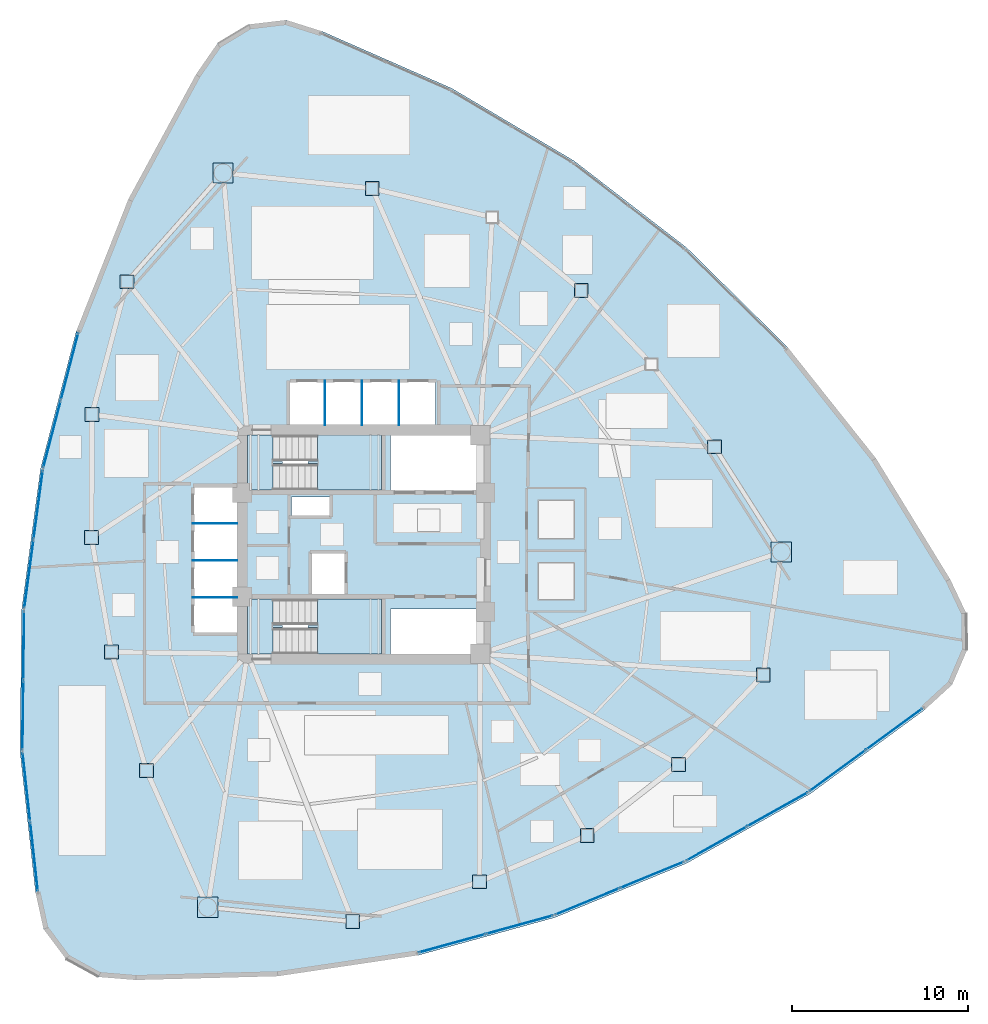
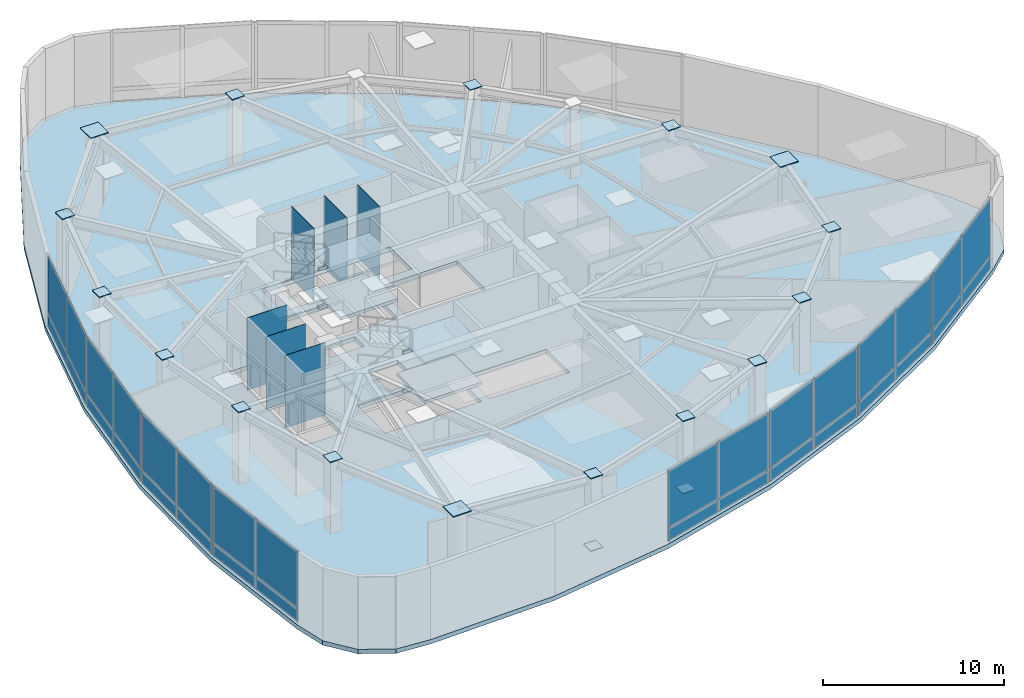
# One storey, part 8 of 14: 56 plates, 7 slabs, 10 elements without a shape of their own.
"""IFC4 building model written with IfcOpenShell, lengths in metres."""

from ifc_helpers import new_model, si_unit, direction, frame, origin, origin_2d, place, context, subcontext, project, spatial, polyline, rectangle, outline, extrude, source, transform, mapped, material, layer, layer_set, type_object, type_shapes, element, aggregate, save


model = new_model("IFC4")

# Units and contexts
model_context = context("Model", 3, precision=1e-05, world=origin(), true_north=direction((0.0, 1.0)))
body_context = subcontext(model_context, "Body", "Model", "MODEL_VIEW")
ifc_project = project(units=[si_unit("LENGTHUNIT", "METRE"), si_unit("AREAUNIT", "SQUARE_METRE"), si_unit("VOLUMEUNIT", "CUBIC_METRE"), si_unit("PLANEANGLEUNIT", "RADIAN"), si_unit("MASSUNIT", "GRAM", prefix="KILO")], contexts=[model_context])

# Site, building, storey
site_placement = place(None, origin())
site = spatial("IfcSite", under=ifc_project, at=site_placement, CompositionType="ELEMENT")
building_placement = place(site_placement, origin())
building = spatial("IfcBuilding", under=site, at=building_placement, Name="Tavelor Broadcast Tower", CompositionType="ELEMENT")
storey_placement = place(building_placement, frame((0.0, 0.0, 110.39990234375)))
storey = spatial("IfcBuildingStorey", under=building, at=storey_placement, Name="L25", CompositionType="ELEMENT", Elevation=110.39990234375)

# Stair, slabs
ifc_material_1 = material(Name="Concrete C40/50", Category="concrete")
stair_type = type_object("IfcStairType", Name="Reinforced Concrete Protected Dogleg Stair 1450 mm", PredefinedType="HALF_TURN_STAIR", material=ifc_material_1)
stair_1_placement = place(storey_placement, origin())
stair_1 = element("IfcStair", 1, at=stair_1_placement, inside=storey, type_object=stair_type, Name="L25 Protected Core Exit Stair ST1", PredefinedType="HALF_TURN_STAIR")
ifc_layer_1 = layer(ifc_material_1, 0.199951171875)
ifc_layer_set_1 = layer_set([ifc_layer_1], Name="Concrete C40/50")
slab_type_1 = type_object("IfcSlabType", Name="Reinforced Concrete Stair Half-Landing Slab 200 mm", PredefinedType="LANDING", material=ifc_layer_set_1)
slab_1_placement = place(storey_placement, frame((0.0, 0.0, 1.10009765625)))
slab_1 = element("IfcSlab", 2, at=slab_1_placement, type_object=slab_type_1, Name="ST1 landing 1", PredefinedType="LANDING", context=body_context, shape_type="SweptSolid", body=[
    extrude(outline(polyline([(47.364990234375, 49.590087890625), (47.364990234375, 48.094970703125), (51.0048828125, 48.094970703125), (51.0048828125, 51.205078125), (47.364990234375, 51.205078125), (47.364990234375, 49.7099609375), (46.824951171875, 49.7099609375), (46.824951171875, 49.590087890625), (47.364990234375, 49.590087890625)])), origin(), (0.0, 0.0, 1.0), 0.199951171875),
])
slab_2_placement = place(storey_placement, frame((0.0, 0.0, 2.400146484375)))
slab_2 = element("IfcSlab", 3, at=slab_2_placement, type_object=slab_type_1, Name="ST1 landing 2", PredefinedType="LANDING", context=body_context, shape_type="SweptSolid", body=[
    extrude(outline(polyline([(43.39501953125, 48.094970703125), (44.85498046875, 48.094970703125), (44.85498046875, 49.590087890625), (45.39501953125, 49.590087890625), (45.39501953125, 49.7099609375), (44.85498046875, 49.7099609375), (44.85498046875, 51.205078125), (43.39501953125, 51.205078125), (43.39501953125, 48.094970703125)])), origin(), (0.0, 0.0, 1.0), 0.199951171875),
])
slab_3_placement = place(storey_placement, frame((0.0, 0.0, 3.7001953125)))
slab_3 = element("IfcSlab", 4, at=slab_3_placement, type_object=slab_type_1, Name="ST1 landing 3", PredefinedType="LANDING", context=body_context, shape_type="SweptSolid", body=[
    extrude(outline(polyline([(47.364990234375, 49.590087890625), (47.364990234375, 48.094970703125), (51.0048828125, 48.094970703125), (51.0048828125, 51.205078125), (47.364990234375, 51.205078125), (47.364990234375, 49.7099609375), (46.824951171875, 49.7099609375), (46.824951171875, 49.590087890625), (47.364990234375, 49.590087890625)])), origin(), (0.0, 0.0, 1.0), 0.199951171875),
])
aggregate(stair_1, [slab_1, slab_2, slab_3])

stair_2_placement = place(storey_placement, origin())
stair_2 = element("IfcStair", 5, at=stair_2_placement, inside=storey, type_object=stair_type, Name="L25 Protected Core Exit Stair ST2", PredefinedType="HALF_TURN_STAIR")
slab_4_placement = place(storey_placement, frame((0.0, 0.0, 1.10009765625)))
slab_4 = element("IfcSlab", 6, at=slab_4_placement, type_object=slab_type_1, Name="ST2 landing 1", PredefinedType="LANDING", context=body_context, shape_type="SweptSolid", body=[
    extrude(outline(polyline([(47.364990234375, 40.2900390625), (47.364990234375, 38.794921875), (51.0048828125, 38.794921875), (51.0048828125, 41.905029296875), (47.364990234375, 41.905029296875), (47.364990234375, 40.409912109375), (46.824951171875, 40.409912109375), (46.824951171875, 40.2900390625), (47.364990234375, 40.2900390625)])), origin(), (0.0, 0.0, 1.0), 0.199951171875),
])
slab_5_placement = place(storey_placement, frame((0.0, 0.0, 2.400146484375)))
slab_5 = element("IfcSlab", 7, at=slab_5_placement, type_object=slab_type_1, Name="ST2 landing 2", PredefinedType="LANDING", context=body_context, shape_type="SweptSolid", body=[
    extrude(outline(polyline([(43.39501953125, 38.794921875), (44.85498046875, 38.794921875), (44.85498046875, 40.2900390625), (45.39501953125, 40.2900390625), (45.39501953125, 40.409912109375), (44.85498046875, 40.409912109375), (44.85498046875, 41.905029296875), (43.39501953125, 41.905029296875), (43.39501953125, 38.794921875)])), origin(), (0.0, 0.0, 1.0), 0.199951171875),
])
slab_6_placement = place(storey_placement, frame((0.0, 0.0, 3.7001953125)))
slab_6 = element("IfcSlab", 8, at=slab_6_placement, type_object=slab_type_1, Name="ST2 landing 3", PredefinedType="LANDING", context=body_context, shape_type="SweptSolid", body=[
    extrude(outline(polyline([(47.364990234375, 40.2900390625), (47.364990234375, 38.794921875), (51.0048828125, 38.794921875), (51.0048828125, 41.905029296875), (47.364990234375, 41.905029296875), (47.364990234375, 40.409912109375), (46.824951171875, 40.409912109375), (46.824951171875, 40.2900390625), (47.364990234375, 40.2900390625)])), origin(), (0.0, 0.0, 1.0), 0.199951171875),
])
aggregate(stair_2, [slab_4, slab_5, slab_6])

# Slab
ifc_layer_2 = layer(ifc_material_1, 0.320068359375)
ifc_layer_set_2 = layer_set([ifc_layer_2], Name="Concrete C40/50")
slab_type_2 = type_object("IfcSlabType", Name="Sky Lobby Floor Slab 320 mm", PredefinedType="FLOOR", material=ifc_layer_set_2)
slab_7_placement = place(storey_placement, frame((0.0, 0.0, -0.2998046875)))
element("IfcSlab", 9, at=slab_7_placement, inside=storey, type_object=slab_type_2, Name="L25 Structural Floor Slab", PredefinedType="FLOOR", context=body_context, shape_type="SweptSolid", body=[
    extrude(outline(polyline([(47.616943359375, 74.11669921875), (45.599365234375, 74.7548828125), (43.497802734375, 74.506103515625), (41.684814453125, 73.414794921875), (40.481689453125, 71.673828125), (36.64111328125, 64.593505859375), (33.685546875, 57.100341796875), (31.658447265625, 49.3046875), (30.58984375, 41.321044921875), (30.4951171875, 33.266845703125), (31.37548828125, 25.26025390625), (31.831787109375, 23.193603515625), (33.097900390625, 21.498046875), (34.94970703125, 20.4736328125), (37.05908203125, 20.30224609375), (45.111083984375, 20.516357421875), (53.077880859375, 21.703369140625), (60.8427734375, 23.845703125), (68.291259765625, 26.912109375), (75.313720703125, 30.857177734375), (81.807373046875, 35.623046875), (83.368896484375, 37.05126953125), (84.204345703125, 38.99560546875), (84.16552734375, 41.111572265625), (83.259521484375, 43.02392578125), (79.0478515625, 49.89013671875), (74.03662109375, 56.1962890625), (68.298828125, 61.849609375), (61.919189453125, 66.766845703125), (54.9912109375, 70.876220703125), (47.616943359375, 74.11669921875)]), holes=[polyline([(56.60009765625, 38.800048828125), (51.52001953125, 38.800048828125), (51.52001953125, 41.35009765625), (56.60009765625, 41.35009765625), (56.60009765625, 38.800048828125)]), polyline([(50.99609375, 38.803955078125), (44.85400390625, 38.803955078125), (44.85400390625, 41.89599609375), (50.99609375, 41.89599609375), (50.99609375, 38.803955078125)]), polyline([(47.050048828125, 42.199951171875), (47.050048828125, 44.550048828125), (48.949951171875, 44.550048828125), (48.949951171875, 42.199951171875), (47.050048828125, 42.199951171875)]), polyline([(40.35009765625, 40.0), (40.35009765625, 48.25), (42.800048828125, 48.25), (42.800048828125, 40.0), (40.35009765625, 40.0)]), polyline([(48.050048828125, 46.64990234375), (45.89990234375, 46.64990234375), (45.89990234375, 47.699951171875), (48.050048828125, 47.699951171875), (48.050048828125, 46.64990234375)]), polyline([(50.99609375, 48.10400390625), (44.85400390625, 48.10400390625), (44.85400390625, 51.196044921875), (50.99609375, 51.196044921875), (50.99609375, 48.10400390625)]), polyline([(56.60009765625, 48.10009765625), (51.52001953125, 48.10009765625), (51.52001953125, 51.199951171875), (56.60009765625, 51.199951171875), (56.60009765625, 48.10009765625)]), polyline([(54.050048828125, 51.800048828125), (45.800048828125, 51.800048828125), (45.800048828125, 54.25), (54.050048828125, 54.25), (54.050048828125, 51.800048828125)])]), origin(), (0.0, 0.0, 1.0), 0.2998046875),
])

# Plates
ifc_material_2 = material(Name="Steel S460", Category="steel")
ifc_layer_3 = layer(ifc_material_2, 0.050048828125)
ifc_layer_set_3 = layer_set([ifc_layer_3], Name="Steel S460")
plate_type_1 = type_object("IfcPlateType", Name="Tube Hollow-End Cap Plate KN05 700x700x50", PredefinedType="USERDEFINED", material=ifc_layer_set_3)
shared_shape_1 = source(origin(), body_context, "Body", "SweptSolid", [
    extrude(rectangle(XDim=1.14697265625, YDim=1.14697265625, at=origin_2d()), origin(), (0.0, 0.0, 1.0), 0.054931640625),
])
for number, where, z_axis, x_axis, name in (
    (10, (42.01123046875, 66.080078125, 4.87255859375), (0.0, 0.0, 1.0), (1.0, 0.0, 0.0), "L25 Hollow End Cap Plate KN05 #744"),
    (11, (41.138671875, 24.423828125, 4.87255859375), (0.0, 0.0, 1.0), (1.0, 0.0, 0.0), "L25 Hollow End Cap Plate KN05 #750"),
    (12, (73.676025390625, 44.57958984375, 4.87255859375), (0.0, 0.0, 1.0), (1.0, 0.0, 0.0), "L25 Hollow End Cap Plate KN05 #758"),
):
    element("IfcPlate", number, at=place(storey_placement, frame(where, z_axis=z_axis, x_axis=x_axis)), inside=storey, type_object=plate_type_1, Name=name, ObjectType="CAP PLATE", PredefinedType="USERDEFINED", context=body_context, shape_type="MappedRepresentation", body=[
        mapped(shared_shape_1, transform((0.0, 0.0, 0.0), scale=1.0)),
    ])
shared_shape_2 = source(origin(), body_context, "Body", "SweptSolid", [
    extrude(rectangle(XDim=0.780029296875, YDim=0.780029296875, at=origin_2d()), origin(), (0.0, 0.0, 1.0), 0.054931640625),
])
type_shapes(plate_type_1, [shared_shape_1, shared_shape_2])
for number, where, z_axis, x_axis, name in (
    (13, (36.567626953125, 59.91064453125, 4.87255859375), (0.0, 0.0, 1.0), (1.0, 0.0, 0.0), "L25 Hollow End Cap Plate KN05 #745"),
    (14, (34.5751953125, 52.37939453125, 4.87255859375), (0.0, 0.0, 1.0), (1.0, 0.0, 0.0), "L25 Hollow End Cap Plate KN05 #746"),
    (15, (34.54638671875, 45.399169921875, 4.87255859375), (0.0, 0.0, 1.0), (1.0, 0.0, 0.0), "L25 Hollow End Cap Plate KN05 #747"),
    (16, (35.680908203125, 38.89990234375, 4.87255859375), (0.0, 0.0, 1.0), (1.0, 0.0, 0.0), "L25 Hollow End Cap Plate KN05 #748"),
    (17, (37.668212890625, 32.1904296875, 4.87255859375), (0.0, 0.0, 1.0), (1.0, 0.0, 0.0), "L25 Hollow End Cap Plate KN05 #749"),
    (18, (49.366455078125, 23.618896484375, -0.02734375), (0.0, 0.0, 1.0), (1.0, 0.0, 0.0), "L25 Hollow End Cap Plate KN05 #751"),
    (19, (49.366455078125, 23.618896484375, 4.87255859375), (0.0, 0.0, 1.0), (1.0, 0.0, 0.0), "L25 Hollow End Cap Plate KN05 #752"),
    (20, (56.56103515625, 25.872802734375, -0.02734375), (0.0, 0.0, 1.0), (1.0, 0.0, 0.0), "L25 Hollow End Cap Plate KN05 #753"),
    (21, (56.56103515625, 25.872802734375, 4.87255859375), (0.0, 0.0, 1.0), (1.0, 0.0, 0.0), "L25 Hollow End Cap Plate KN05 #754"),
    (22, (62.669189453125, 28.503173828125, 4.87255859375), (0.0, 0.0, 1.0), (1.0, 0.0, 0.0), "L25 Hollow End Cap Plate KN05 #755"),
    (23, (67.84228515625, 32.53173828125, 4.87255859375), (0.0, 0.0, 1.0), (1.0, 0.0, 0.0), "L25 Hollow End Cap Plate KN05 #756"),
    (24, (72.6591796875, 37.607421875, 4.87255859375), (0.0, 0.0, 1.0), (1.0, 0.0, 0.0), "L25 Hollow End Cap Plate KN05 #757"),
    (25, (69.885986328125, 50.544189453125, 4.87255859375), (0.0, 0.0, 1.0), (1.0, 0.0, 0.0), "L25 Hollow End Cap Plate KN05 #759"),
    (26, (62.330810546875, 59.416259765625, 4.87255859375), (0.0, 0.0, 1.0), (1.0, 0.0, 0.0), "L25 Hollow End Cap Plate KN05 #761"),
    (27, (50.472412109375, 65.2021484375, 4.87255859375), (0.0, 0.0, 1.0), (1.0, 0.0, 0.0), "L25 Hollow End Cap Plate KN05 #764"),
):
    element("IfcPlate", number, at=place(storey_placement, frame(where, z_axis=z_axis, x_axis=x_axis)), inside=storey, type_object=plate_type_1, Name=name, ObjectType="CAP PLATE", PredefinedType="USERDEFINED", context=body_context, shape_type="MappedRepresentation", body=[
        mapped(shared_shape_2, transform((0.0, 0.0, 0.0), scale=1.0)),
    ])
ifc_material_3 = material(Name="Steel S355", Category="steel")
ifc_layer_4 = layer(ifc_material_3, 0.011962890625)
ifc_layer_set_4 = layer_set([ifc_layer_4], Name="Steel S355")
plate_type_2 = type_object("IfcPlateType", Name="Hoistway Steel Separator Screen 12 mm", PredefinedType="SHEET", material=ifc_layer_set_4)
shared_shape_3 = source(origin(), body_context, "Body", "SweptSolid", [
    extrude(rectangle(XDim=2.52001953125, YDim=0.02001953125, at=origin_2d()), origin(), (0.0, 0.0, 1.0), 4.89990234375),
])
for number, where, z_axis, x_axis, name in (
    (28, (41.56005859375, 42.0, 0.000244140625), (0.0, 0.0, 1.0), (1.0, 0.0, 0.0), "L25 Low-Rise Hoistway Separator Screen 1"),
    (29, (41.56005859375, 44.10009765625, 0.000244140625), (0.0, 0.0, 1.0), (1.0, 0.0, 0.0), "L25 Low-Rise Hoistway Separator Screen 2"),
    (30, (41.56005859375, 46.199951171875, 0.000244140625), (0.0, 0.0, 1.0), (1.0, 0.0, 0.0), "L25 Low-Rise Hoistway Separator Screen 3"),
):
    element("IfcPlate", number, at=place(storey_placement, frame(where, z_axis=z_axis, x_axis=x_axis)), inside=storey, type_object=plate_type_2, Name=name, PredefinedType="SHEET", context=body_context, shape_type="MappedRepresentation", body=[
        mapped(shared_shape_3, transform((0.0, 0.0, 0.0), scale=1.0)),
    ])
shared_shape_4 = source(origin(), body_context, "Body", "SweptSolid", [
    extrude(rectangle(XDim=0.02001953125, YDim=2.52001953125, at=origin_2d()), origin(), (0.0, 0.0, 1.0), 4.89990234375),
])
type_shapes(plate_type_2, [shared_shape_3, shared_shape_4])
for number, where, z_axis, x_axis, name in (
    (31, (47.800048828125, 53.0400390625, 0.000244140625), (0.0, 0.0, 1.0), (1.0, 0.0, 0.0), "L25 High-Rise Hoistway Separator Screen 1"),
    (32, (49.89990234375, 53.0400390625, 0.000244140625), (0.0, 0.0, 1.0), (1.0, 0.0, 0.0), "L25 High-Rise Hoistway Separator Screen 2"),
    (33, (52.0, 53.0400390625, 0.000244140625), (0.0, 0.0, 1.0), (1.0, 0.0, 0.0), "L25 High-Rise Hoistway Separator Screen 3"),
):
    element("IfcPlate", number, at=place(storey_placement, frame(where, z_axis=z_axis, x_axis=x_axis)), inside=storey, type_object=plate_type_2, Name=name, PredefinedType="SHEET", context=body_context, shape_type="MappedRepresentation", body=[
        mapped(shared_shape_4, transform((0.0, 0.0, 0.0), scale=1.0)),
    ])

# Curtain wall, plates
ifc_material_4 = material(Name="Architectural Anodized Aluminium", Category="aluminium")
ifc_layer_5 = layer(ifc_material_4, 0.239990234375)
ifc_layer_set_5 = layer_set([ifc_layer_5], Name="Architectural Anodized Aluminium")
curtain_wall_type = type_object("IfcCurtainWallType", Name="Sky Lobby Feature Structural Curtain Wall CW05", PredefinedType="NOTDEFINED", material=ifc_layer_set_5)
curtain_wall_1_placement = place(storey_placement, origin())
curtain_wall_1 = element("IfcCurtainWall", 34, at=curtain_wall_1_placement, inside=storey, type_object=curtain_wall_type, Name="L25 Curtain Wall CW05 Run 241", PredefinedType="NOTDEFINED")
ifc_material_5 = material(Name="Ultra-Clear Structural Glazing 38 mm", Category="glass")
ifc_layer_6 = layer(ifc_material_5, 0.0380859375)
ifc_layer_set_6 = layer_set([ifc_layer_6], Name="Ultra-Clear Structural Glazing 38 mm")
plate_type_3 = type_object("IfcPlateType", Name="CW05 Insulated Vision Glazing Panel 38 mm", PredefinedType="CURTAIN_PANEL", material=ifc_layer_set_6)
shared_shape_5 = source(origin(), body_context, "Body", "SweptSolid", [
    extrude(rectangle(XDim=3.891357421875, YDim=0.0380859375, at=origin_2d()), origin(), (0.0, 0.0, 1.0), 0.830078125),
])
plate_1_placement = place(storey_placement, frame((33.30908203125, 55.096435546875, 0.080078125), z_axis=(0.0, 0.0, 1.0), x_axis=(-0.251654633366, -0.967817103334, 0.0)))
plate_1 = element("IfcPlate", 35, at=plate_1_placement, type_object=plate_type_3, Name="CW05 panel 1.1", PredefinedType="CURTAIN_PANEL", context=body_context, shape_type="MappedRepresentation", body=[
    mapped(shared_shape_5, transform((0.0, 0.0, 0.0), scale=1.0)),
])
plate_2_placement = place(storey_placement, frame((32.3095703125, 51.252685546875, 0.080078125), z_axis=(0.0, 0.0, 1.0), x_axis=(-0.251654633366, -0.967817103334, 0.0)))
plate_2 = element("IfcPlate", 36, at=plate_2_placement, type_object=plate_type_3, Name="CW05 panel 2.1", PredefinedType="CURTAIN_PANEL", context=body_context, shape_type="MappedRepresentation", body=[
    mapped(shared_shape_5, transform((0.0, 0.0, 0.0), scale=1.0)),
])

curtain_wall_2_placement = place(storey_placement, origin())
curtain_wall_2 = element("IfcCurtainWall", 37, at=curtain_wall_2_placement, inside=storey, type_object=curtain_wall_type, Name="L25 Curtain Wall CW05 Run 245", PredefinedType="NOTDEFINED")
plate_3_placement = place(storey_placement, frame((55.001708984375, 22.37939453125, 0.080078125), z_axis=(0.0, 0.0, 1.0), x_axis=(0.96398181941, 0.265968140661, 0.0)))
plate_3 = element("IfcPlate", 38, at=plate_3_placement, type_object=plate_type_3, Name="CW05 panel 1.1", PredefinedType="CURTAIN_PANEL", context=body_context, shape_type="MappedRepresentation", body=[
    mapped(shared_shape_5, transform((0.0, 0.0, 0.0), scale=1.0)),
])
plate_4_placement = place(storey_placement, frame((58.830078125, 23.435546875, 0.080078125), z_axis=(0.0, 0.0, 1.0), x_axis=(0.96398181941, 0.265968140661, 0.0)))
plate_4 = element("IfcPlate", 39, at=plate_4_placement, type_object=plate_type_3, Name="CW05 panel 2.1", PredefinedType="CURTAIN_PANEL", context=body_context, shape_type="MappedRepresentation", body=[
    mapped(shared_shape_5, transform((0.0, 0.0, 0.0), scale=1.0)),
])

# Plate
shared_shape_6 = source(origin(), body_context, "Body", "SweptSolid", [
    extrude(rectangle(XDim=3.891357421875, YDim=0.0380859375, at=origin_2d()), origin(), (0.0, 0.0, 1.0), 3.830078125),
])
plate_5_placement = place(storey_placement, frame((33.30908203125, 55.096435546875, 0.989990234375), z_axis=(0.0, 0.0, 1.0), x_axis=(-0.251654633366, -0.967817103334, 0.0)))
plate_5 = element("IfcPlate", 40, at=plate_5_placement, type_object=plate_type_3, Name="CW05 panel 1.2", PredefinedType="CURTAIN_PANEL", context=body_context, shape_type="MappedRepresentation", body=[
    mapped(shared_shape_6, transform((0.0, 0.0, 0.0), scale=1.0)),
])

plate_6_placement = place(storey_placement, frame((32.3095703125, 51.252685546875, 0.989990234375), z_axis=(0.0, 0.0, 1.0), x_axis=(-0.251654633366, -0.967817103334, 0.0)))
plate_6 = element("IfcPlate", 41, at=plate_6_placement, type_object=plate_type_3, Name="CW05 panel 2.2", PredefinedType="CURTAIN_PANEL", context=body_context, shape_type="MappedRepresentation", body=[
    mapped(shared_shape_6, transform((0.0, 0.0, 0.0), scale=1.0)),
])

aggregate(curtain_wall_1, [plate_1, plate_5, plate_2, plate_6])

plate_7_placement = place(storey_placement, frame((55.001708984375, 22.37939453125, 0.989990234375), z_axis=(0.0, 0.0, 1.0), x_axis=(0.96398181941, 0.265968140661, 0.0)))
plate_7 = element("IfcPlate", 42, at=plate_7_placement, type_object=plate_type_3, Name="CW05 panel 1.2", PredefinedType="CURTAIN_PANEL", context=body_context, shape_type="MappedRepresentation", body=[
    mapped(shared_shape_6, transform((0.0, 0.0, 0.0), scale=1.0)),
])

plate_8_placement = place(storey_placement, frame((58.830078125, 23.435546875, 0.989990234375), z_axis=(0.0, 0.0, 1.0), x_axis=(0.96398181941, 0.265968140661, 0.0)))
plate_8 = element("IfcPlate", 43, at=plate_8_placement, type_object=plate_type_3, Name="CW05 panel 2.2", PredefinedType="CURTAIN_PANEL", context=body_context, shape_type="MappedRepresentation", body=[
    mapped(shared_shape_6, transform((0.0, 0.0, 0.0), scale=1.0)),
])

aggregate(curtain_wall_2, [plate_3, plate_7, plate_4, plate_8])

# Curtain wall, plates
curtain_wall_3_placement = place(storey_placement, origin())
curtain_wall_3 = element("IfcCurtainWall", 44, at=curtain_wall_3_placement, inside=storey, type_object=curtain_wall_type, Name="L25 Curtain Wall CW05 Run 242", PredefinedType="NOTDEFINED")
shared_shape_7 = source(origin(), body_context, "Body", "SweptSolid", [
    extrude(rectangle(XDim=3.8837890625, YDim=0.0380859375, at=origin_2d()), origin(), (0.0, 0.0, 1.0), 0.830078125),
])
plate_9_placement = place(storey_placement, frame((31.52587890625, 47.2587890625, 0.080078125), z_axis=(0.0, 0.0, 1.0), x_axis=(-0.132670851029, -0.99116015118, 0.0)))
plate_9 = element("IfcPlate", 45, at=plate_9_placement, type_object=plate_type_3, Name="CW05 panel 1.1", PredefinedType="CURTAIN_PANEL", context=body_context, shape_type="MappedRepresentation", body=[
    mapped(shared_shape_7, transform((0.0, 0.0, 0.0), scale=1.0)),
])
plate_10_placement = place(storey_placement, frame((31.0, 43.329833984375, 0.080078125), z_axis=(0.0, 0.0, 1.0), x_axis=(-0.132670851029, -0.99116015118, 0.0)))
plate_10 = element("IfcPlate", 46, at=plate_10_placement, type_object=plate_type_3, Name="CW05 panel 2.1", PredefinedType="CURTAIN_PANEL", context=body_context, shape_type="MappedRepresentation", body=[
    mapped(shared_shape_7, transform((0.0, 0.0, 0.0), scale=1.0)),
])

curtain_wall_4_placement = place(storey_placement, origin())
curtain_wall_4 = element("IfcCurtainWall", 47, at=curtain_wall_4_placement, inside=storey, type_object=curtain_wall_type, Name="L25 Curtain Wall CW05 Run 247", PredefinedType="NOTDEFINED")
plate_11_placement = place(storey_placement, frame((70.005859375, 28.035888671875, 0.080078125), z_axis=(0.0, 0.0, 1.0), x_axis=(0.87185020653, 0.489772618031, 0.0)))
plate_11 = element("IfcPlate", 48, at=plate_11_placement, type_object=plate_type_3, Name="CW05 panel 1.1", PredefinedType="CURTAIN_PANEL", context=body_context, shape_type="MappedRepresentation", body=[
    mapped(shared_shape_7, transform((0.0, 0.0, 0.0), scale=1.0)),
])
plate_12_placement = place(storey_placement, frame((73.4619140625, 29.977294921875, 0.080078125), z_axis=(0.0, 0.0, 1.0), x_axis=(0.87185020653, 0.489772618031, 0.0)))
plate_12 = element("IfcPlate", 49, at=plate_12_placement, type_object=plate_type_3, Name="CW05 panel 2.1", PredefinedType="CURTAIN_PANEL", context=body_context, shape_type="MappedRepresentation", body=[
    mapped(shared_shape_7, transform((0.0, 0.0, 0.0), scale=1.0)),
])

# Plate
shared_shape_8 = source(origin(), body_context, "Body", "SweptSolid", [
    extrude(rectangle(XDim=3.8837890625, YDim=0.0380859375, at=origin_2d()), origin(), (0.0, 0.0, 1.0), 3.830078125),
])
plate_13_placement = place(storey_placement, frame((31.52587890625, 47.2587890625, 0.989990234375), z_axis=(0.0, 0.0, 1.0), x_axis=(-0.132670851029, -0.99116015118, 0.0)))
plate_13 = element("IfcPlate", 50, at=plate_13_placement, type_object=plate_type_3, Name="CW05 panel 1.2", PredefinedType="CURTAIN_PANEL", context=body_context, shape_type="MappedRepresentation", body=[
    mapped(shared_shape_8, transform((0.0, 0.0, 0.0), scale=1.0)),
])

plate_14_placement = place(storey_placement, frame((31.0, 43.329833984375, 0.989990234375), z_axis=(0.0, 0.0, 1.0), x_axis=(-0.132670851029, -0.99116015118, 0.0)))
plate_14 = element("IfcPlate", 51, at=plate_14_placement, type_object=plate_type_3, Name="CW05 panel 2.2", PredefinedType="CURTAIN_PANEL", context=body_context, shape_type="MappedRepresentation", body=[
    mapped(shared_shape_8, transform((0.0, 0.0, 0.0), scale=1.0)),
])

aggregate(curtain_wall_3, [plate_9, plate_13, plate_10, plate_14])

plate_15_placement = place(storey_placement, frame((70.005859375, 28.035888671875, 0.989990234375), z_axis=(0.0, 0.0, 1.0), x_axis=(0.87185020653, 0.489772618031, 0.0)))
plate_15 = element("IfcPlate", 52, at=plate_15_placement, type_object=plate_type_3, Name="CW05 panel 1.2", PredefinedType="CURTAIN_PANEL", context=body_context, shape_type="MappedRepresentation", body=[
    mapped(shared_shape_8, transform((0.0, 0.0, 0.0), scale=1.0)),
])

plate_16_placement = place(storey_placement, frame((73.4619140625, 29.977294921875, 0.989990234375), z_axis=(0.0, 0.0, 1.0), x_axis=(0.87185020653, 0.489772618031, 0.0)))
plate_16 = element("IfcPlate", 53, at=plate_16_placement, type_object=plate_type_3, Name="CW05 panel 2.2", PredefinedType="CURTAIN_PANEL", context=body_context, shape_type="MappedRepresentation", body=[
    mapped(shared_shape_8, transform((0.0, 0.0, 0.0), scale=1.0)),
])

aggregate(curtain_wall_4, [plate_11, plate_15, plate_12, plate_16])

# Curtain wall, plates
curtain_wall_5_placement = place(storey_placement, origin())
curtain_wall_5 = element("IfcCurtainWall", 54, at=curtain_wall_5_placement, inside=storey, type_object=curtain_wall_type, Name="L25 Curtain Wall CW05 Run 243", PredefinedType="NOTDEFINED")
shared_shape_9 = source(origin(), body_context, "Body", "SweptSolid", [
    extrude(rectangle(XDim=3.884033203125, YDim=0.0380859375, at=origin_2d()), origin(), (0.0, 0.0, 1.0), 0.830078125),
])
plate_17_placement = place(storey_placement, frame((30.705810546875, 39.274169921875, 0.080078125), z_axis=(0.0, 0.0, 1.0), x_axis=(-0.011763451118, -0.999930808215, 0.0)))
plate_17 = element("IfcPlate", 55, at=plate_17_placement, type_object=plate_type_3, Name="CW05 panel 1.1", PredefinedType="CURTAIN_PANEL", context=body_context, shape_type="MappedRepresentation", body=[
    mapped(shared_shape_9, transform((0.0, 0.0, 0.0), scale=1.0)),
])
plate_18_placement = place(storey_placement, frame((30.6591796875, 35.310546875, 0.080078125), z_axis=(0.0, 0.0, 1.0), x_axis=(-0.011763451118, -0.999930808215, 0.0)))
plate_18 = element("IfcPlate", 56, at=plate_18_placement, type_object=plate_type_3, Name="CW05 panel 2.1", PredefinedType="CURTAIN_PANEL", context=body_context, shape_type="MappedRepresentation", body=[
    mapped(shared_shape_9, transform((0.0, 0.0, 0.0), scale=1.0)),
])

curtain_wall_6_placement = place(storey_placement, origin())
curtain_wall_6 = element("IfcCurtainWall", 57, at=curtain_wall_6_placement, inside=storey, type_object=curtain_wall_type, Name="L25 Curtain Wall CW05 Run 246", PredefinedType="NOTDEFINED")
plate_19_placement = place(storey_placement, frame((62.680908203125, 24.75390625, 0.080078125), z_axis=(0.0, 0.0, 1.0), x_axis=(0.924711456487, 0.380668782856, 0.0)))
plate_19 = element("IfcPlate", 58, at=plate_19_placement, type_object=plate_type_3, Name="CW05 panel 1.1", PredefinedType="CURTAIN_PANEL", context=body_context, shape_type="MappedRepresentation", body=[
    mapped(shared_shape_9, transform((0.0, 0.0, 0.0), scale=1.0)),
])
plate_20_placement = place(storey_placement, frame((66.346435546875, 26.2626953125, 0.080078125), z_axis=(0.0, 0.0, 1.0), x_axis=(0.924711456487, 0.380668782856, 0.0)))
plate_20 = element("IfcPlate", 59, at=plate_20_placement, type_object=plate_type_3, Name="CW05 panel 2.1", PredefinedType="CURTAIN_PANEL", context=body_context, shape_type="MappedRepresentation", body=[
    mapped(shared_shape_9, transform((0.0, 0.0, 0.0), scale=1.0)),
])

# Plate
shared_shape_10 = source(origin(), body_context, "Body", "SweptSolid", [
    extrude(rectangle(XDim=3.884033203125, YDim=0.0380859375, at=origin_2d()), origin(), (0.0, 0.0, 1.0), 3.830078125),
])
plate_21_placement = place(storey_placement, frame((30.705810546875, 39.274169921875, 0.989990234375), z_axis=(0.0, 0.0, 1.0), x_axis=(-0.011763451118, -0.999930808215, 0.0)))
plate_21 = element("IfcPlate", 60, at=plate_21_placement, type_object=plate_type_3, Name="CW05 panel 1.2", PredefinedType="CURTAIN_PANEL", context=body_context, shape_type="MappedRepresentation", body=[
    mapped(shared_shape_10, transform((0.0, 0.0, 0.0), scale=1.0)),
])

plate_22_placement = place(storey_placement, frame((30.6591796875, 35.310546875, 0.989990234375), z_axis=(0.0, 0.0, 1.0), x_axis=(-0.011763451118, -0.999930808215, 0.0)))
plate_22 = element("IfcPlate", 61, at=plate_22_placement, type_object=plate_type_3, Name="CW05 panel 2.2", PredefinedType="CURTAIN_PANEL", context=body_context, shape_type="MappedRepresentation", body=[
    mapped(shared_shape_10, transform((0.0, 0.0, 0.0), scale=1.0)),
])

aggregate(curtain_wall_5, [plate_17, plate_21, plate_18, plate_22])

plate_23_placement = place(storey_placement, frame((62.680908203125, 24.75390625, 0.989990234375), z_axis=(0.0, 0.0, 1.0), x_axis=(0.924711456487, 0.380668782856, 0.0)))
plate_23 = element("IfcPlate", 62, at=plate_23_placement, type_object=plate_type_3, Name="CW05 panel 1.2", PredefinedType="CURTAIN_PANEL", context=body_context, shape_type="MappedRepresentation", body=[
    mapped(shared_shape_10, transform((0.0, 0.0, 0.0), scale=1.0)),
])

plate_24_placement = place(storey_placement, frame((66.346435546875, 26.2626953125, 0.989990234375), z_axis=(0.0, 0.0, 1.0), x_axis=(0.924711456487, 0.380668782856, 0.0)))
plate_24 = element("IfcPlate", 63, at=plate_24_placement, type_object=plate_type_3, Name="CW05 panel 2.2", PredefinedType="CURTAIN_PANEL", context=body_context, shape_type="MappedRepresentation", body=[
    mapped(shared_shape_10, transform((0.0, 0.0, 0.0), scale=1.0)),
])

aggregate(curtain_wall_6, [plate_19, plate_23, plate_20, plate_24])

# Curtain wall, plates
curtain_wall_7_placement = place(storey_placement, origin())
curtain_wall_7 = element("IfcCurtainWall", 64, at=curtain_wall_7_placement, inside=storey, type_object=curtain_wall_type, Name="L25 Curtain Wall CW05 Run 244", PredefinedType="NOTDEFINED")
shared_shape_11 = source(origin(), body_context, "Body", "SweptSolid", [
    extrude(rectangle(XDim=3.891845703125, YDim=0.0380859375, at=origin_2d()), origin(), (0.0, 0.0, 1.0), 0.830078125),
])
plate_25_placement = place(storey_placement, frame((30.858154296875, 31.244873046875, 0.080078125), z_axis=(0.0, 0.0, 1.0), x_axis=(0.10932484045, -0.994006076068, 0.0)))
plate_25 = element("IfcPlate", 65, at=plate_25_placement, type_object=plate_type_3, Name="CW05 panel 1.1", PredefinedType="CURTAIN_PANEL", context=body_context, shape_type="MappedRepresentation", body=[
    mapped(shared_shape_11, transform((0.0, 0.0, 0.0), scale=1.0)),
])
plate_26_placement = place(storey_placement, frame((31.29248046875, 27.296875, 0.080078125), z_axis=(0.0, 0.0, 1.0), x_axis=(0.10932484045, -0.994006076068, 0.0)))
plate_26 = element("IfcPlate", 66, at=plate_26_placement, type_object=plate_type_3, Name="CW05 panel 2.1", PredefinedType="CURTAIN_PANEL", context=body_context, shape_type="MappedRepresentation", body=[
    mapped(shared_shape_11, transform((0.0, 0.0, 0.0), scale=1.0)),
])

curtain_wall_8_placement = place(storey_placement, origin())
curtain_wall_8 = element("IfcCurtainWall", 67, at=curtain_wall_8_placement, inside=storey, type_object=curtain_wall_type, Name="L25 Curtain Wall CW05 Run 248", PredefinedType="NOTDEFINED")
plate_27_placement = place(storey_placement, frame((76.883056640625, 32.1826171875, 0.080078125), z_axis=(0.0, 0.0, 1.0), x_axis=(0.806175524061, 0.591676452467, 0.0)))
plate_27 = element("IfcPlate", 68, at=plate_27_placement, type_object=plate_type_3, Name="CW05 panel 1.1", PredefinedType="CURTAIN_PANEL", context=body_context, shape_type="MappedRepresentation", body=[
    mapped(shared_shape_11, transform((0.0, 0.0, 0.0), scale=1.0)),
])
plate_28_placement = place(storey_placement, frame((80.085205078125, 34.53271484375, 0.080078125), z_axis=(0.0, 0.0, 1.0), x_axis=(0.806175524061, 0.591676452467, 0.0)))
plate_28 = element("IfcPlate", 69, at=plate_28_placement, type_object=plate_type_3, Name="CW05 panel 2.1", PredefinedType="CURTAIN_PANEL", context=body_context, shape_type="MappedRepresentation", body=[
    mapped(shared_shape_11, transform((0.0, 0.0, 0.0), scale=1.0)),
])

# Plate
shared_shape_12 = source(origin(), body_context, "Body", "SweptSolid", [
    extrude(rectangle(XDim=3.891845703125, YDim=0.0380859375, at=origin_2d()), origin(), (0.0, 0.0, 1.0), 3.830078125),
])
type_shapes(plate_type_3, [shared_shape_5, shared_shape_6, shared_shape_7, shared_shape_8, shared_shape_9, shared_shape_10, shared_shape_11, shared_shape_12])
plate_29_placement = place(storey_placement, frame((30.858154296875, 31.244873046875, 0.989990234375), z_axis=(0.0, 0.0, 1.0), x_axis=(0.10932484045, -0.994006076068, 0.0)))
plate_29 = element("IfcPlate", 70, at=plate_29_placement, type_object=plate_type_3, Name="CW05 panel 1.2", PredefinedType="CURTAIN_PANEL", context=body_context, shape_type="MappedRepresentation", body=[
    mapped(shared_shape_12, transform((0.0, 0.0, 0.0), scale=1.0)),
])

plate_30_placement = place(storey_placement, frame((31.29248046875, 27.296875, 0.989990234375), z_axis=(0.0, 0.0, 1.0), x_axis=(0.10932484045, -0.994006076068, 0.0)))
plate_30 = element("IfcPlate", 71, at=plate_30_placement, type_object=plate_type_3, Name="CW05 panel 2.2", PredefinedType="CURTAIN_PANEL", context=body_context, shape_type="MappedRepresentation", body=[
    mapped(shared_shape_12, transform((0.0, 0.0, 0.0), scale=1.0)),
])

aggregate(curtain_wall_7, [plate_25, plate_29, plate_26, plate_30])

plate_31_placement = place(storey_placement, frame((76.883056640625, 32.1826171875, 0.989990234375), z_axis=(0.0, 0.0, 1.0), x_axis=(0.806175524061, 0.591676452467, 0.0)))
plate_31 = element("IfcPlate", 72, at=plate_31_placement, type_object=plate_type_3, Name="CW05 panel 1.2", PredefinedType="CURTAIN_PANEL", context=body_context, shape_type="MappedRepresentation", body=[
    mapped(shared_shape_12, transform((0.0, 0.0, 0.0), scale=1.0)),
])

plate_32_placement = place(storey_placement, frame((80.085205078125, 34.53271484375, 0.989990234375), z_axis=(0.0, 0.0, 1.0), x_axis=(0.806175524061, 0.591676452467, 0.0)))
plate_32 = element("IfcPlate", 73, at=plate_32_placement, type_object=plate_type_3, Name="CW05 panel 2.2", PredefinedType="CURTAIN_PANEL", context=body_context, shape_type="MappedRepresentation", body=[
    mapped(shared_shape_12, transform((0.0, 0.0, 0.0), scale=1.0)),
])

aggregate(curtain_wall_8, [plate_27, plate_31, plate_28, plate_32])

save(model, "model.ifc")
